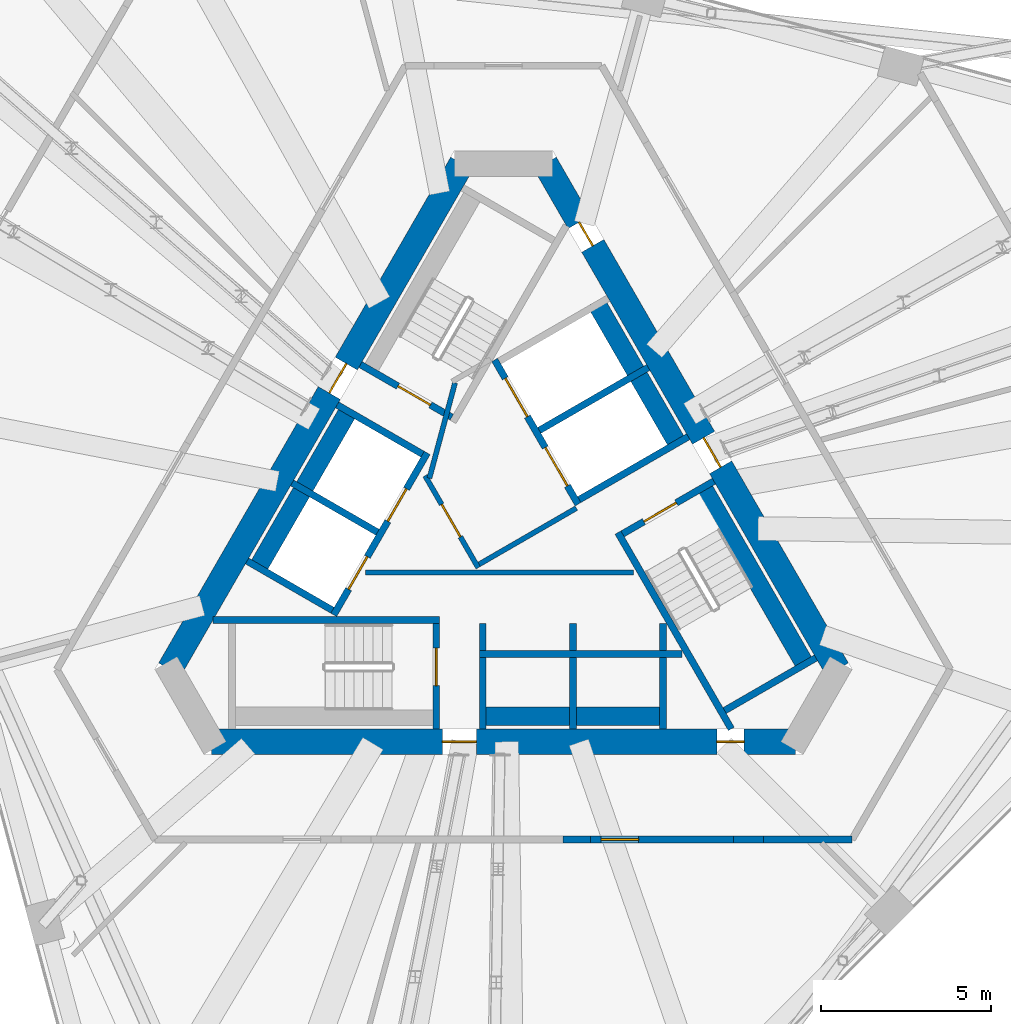
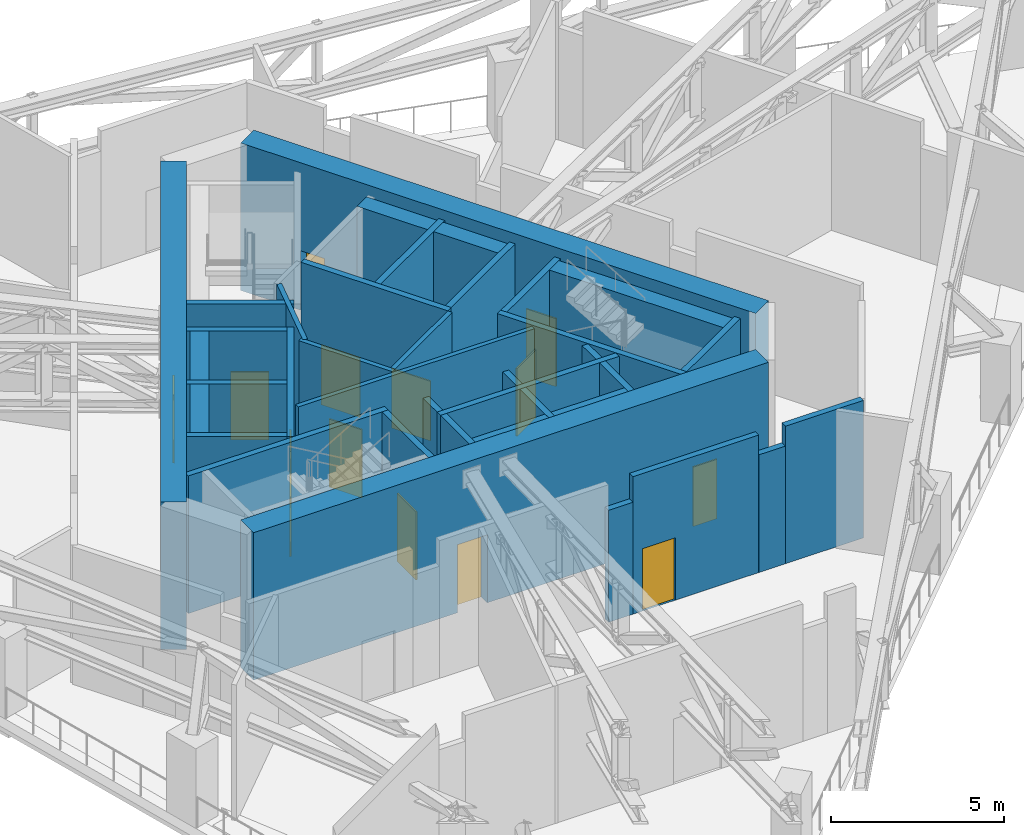
# One storey, part 14 of 22: 35 walls, 14 doors, 14 openings.
"""IFC4 building model written with IfcOpenShell, lengths in metres."""

from ifc_helpers import new_model, si_unit, direction, frame, frame_2d, origin, place, context, subcontext, project, spatial, rectangle, extrude, material, layer, layer_set, type_object, element, fill, save


model = new_model("IFC4")

# Units and contexts
model_context = context("Model", 3, precision=1e-05, world=origin(), true_north=direction((0.0, 1.0)))
body_context = subcontext(model_context, "Body", "Model", "MODEL_VIEW")
ifc_project = project(units=[si_unit("LENGTHUNIT", "METRE"), si_unit("AREAUNIT", "SQUARE_METRE"), si_unit("VOLUMEUNIT", "CUBIC_METRE"), si_unit("PLANEANGLEUNIT", "RADIAN"), si_unit("MASSUNIT", "GRAM", prefix="KILO")], contexts=[model_context])

# Site, building, storey
site_placement = place(None, origin())
site = spatial("IfcSite", under=ifc_project, at=site_placement, CompositionType="ELEMENT")
building_placement = place(site_placement, origin())
building = spatial("IfcBuilding", under=site, at=building_placement, Name="Tramontana Tower", CompositionType="ELEMENT")
storey_placement = place(building_placement, frame((0.0, 0.0, 232.0)))
storey = spatial("IfcBuildingStorey", under=building, at=storey_placement, Name="L54", CompositionType="ELEMENT", Elevation=232.0)

# Wall, opening, door
ifc_material_1 = material(Name="Concrete 70 MPa", Category="concrete")
ifc_layer_1 = layer(ifc_material_1, 0.75)
ifc_layer_set_1 = layer_set([ifc_layer_1], Name="Core wall 750 70 MPa")
wall_type_1 = type_object("IfcWallType", Name="Core wall 750 70 MPa", PredefinedType="SHEAR", material=ifc_layer_set_1)
wall_1_placement = place(storey_placement, frame((-1.226806640625, 10.625, 0.0), z_axis=(0.0, 0.0, 1.0), x_axis=(-0.500002161919, -0.866024155596, 0.0)))
wall_1 = element("IfcWall", 1, at=wall_1_placement, inside=storey, type_object=wall_type_1, Name="Core wall C1 L54", PredefinedType="SHEAR", context=body_context, shape_type="SweptSolid", body=[
    extrude(rectangle(XDim=17.17626953125, YDim=0.75, at=frame_2d((8.588134765625, 0.0))), origin(), (0.0, 0.0, 1.0), 5.199951171875),
])
opening_1_placement = place(wall_1_placement, frame((6.79296875, 0.0, 0.0)))
opening_1 = element("IfcOpeningElement", 2, at=opening_1_placement, cuts=wall_1, Name="Opening RG1", PredefinedType="OPENING", context=body_context, shape_type="SweptSolid", body=[
    extrude(rectangle(XDim=1.0, YDim=2.39990234375, at=frame_2d((0.5, 1.199951171875))), frame((0.0, 0.385009765625, 0.0), z_axis=(0.0, -1.0, 0.0), x_axis=(1.0, 0.0, 0.0)), (0.0, 0.0, 1.0), 0.77001953125),
])
ifc_material_2 = material(Name="Painted steel", Category="steel")
door_type_1 = type_object("IfcDoorType", Name="RING DOOR 1000", OperationType="SINGLE_SWING_LEFT", PredefinedType="DOOR", material=ifc_material_2)
door_1_placement = place(opening_1_placement, origin())
door_1 = element("IfcDoor", 3, at=door_1_placement, inside=storey, type_object=door_type_1, Name="Door RG1", OperationType="SINGLE_SWING_RIGHT", OverallHeight=2.39990234375, OverallWidth=1.0, PredefinedType="DOOR", context=body_context, shape_type="SweptSolid", body=[
    extrude(rectangle(XDim=1.0, YDim=2.39990234375, at=frame_2d((0.5, 1.199951171875))), frame((0.0, 0.02490234375, 0.0), z_axis=(0.0, -1.0, 0.0), x_axis=(1.0, 0.0, 0.0)), (0.0, 0.0, 1.0), 0.050048828125),
])
fill(opening_1, door_1)

# Wall, openings, doors
wall_2_placement = place(storey_placement, frame((-8.588134765625, -6.375, 0.0), z_axis=(0.0, 0.0, 1.0), x_axis=(1.0, 0.0, 0.0)))
wall_2 = element("IfcWall", 4, at=wall_2_placement, inside=storey, type_object=wall_type_1, Name="Core wall C3 L54", PredefinedType="SHEAR", context=body_context, shape_type="SweptSolid", body=[
    extrude(rectangle(XDim=17.17626953125, YDim=0.75, at=frame_2d((8.588134765625, 0.0))), origin(), (0.0, 0.0, 1.0), 5.199951171875),
])
opening_2_placement = place(wall_2_placement, frame((6.793212890625, 0.0, 0.0)))
opening_2 = element("IfcOpeningElement", 5, at=opening_2_placement, cuts=wall_2, Name="Opening RG2", PredefinedType="OPENING", context=body_context, shape_type="SweptSolid", body=[
    extrude(rectangle(XDim=1.0, YDim=2.39990234375, at=frame_2d((0.5, 1.199951171875))), frame((0.0, 0.385009765625, 0.0), z_axis=(0.0, -1.0, 0.0), x_axis=(1.0, 0.0, 0.0)), (0.0, 0.0, 1.0), 0.77001953125),
])
opening_3_placement = place(wall_2_placement, frame((14.863525390625, 0.0, 0.0)))
opening_3 = element("IfcOpeningElement", 6, at=opening_3_placement, cuts=wall_2, Name="Opening PD2", PredefinedType="OPENING", context=body_context, shape_type="SweptSolid", body=[
    extrude(rectangle(XDim=0.800048828125, YDim=2.10009765625, at=frame_2d((0.39990234375, 1.050048828125))), frame((0.0, 0.385009765625, 0.0), z_axis=(0.0, -1.0, 0.0), x_axis=(1.0, 0.0, 0.0)), (0.0, 0.0, 1.0), 0.77001953125),
])
ifc_material_3 = material(Name="Painted steel", Category="steel")
door_type_2 = type_object("IfcDoorType", Name="CUPBOARD DOOR 800", OperationType="SINGLE_SWING_LEFT", PredefinedType="DOOR", material=ifc_material_3)
door_2_placement = place(opening_3_placement, origin())
door_2 = element("IfcDoor", 7, at=door_2_placement, inside=storey, type_object=door_type_2, Name="Door PD2", OperationType="SINGLE_SWING_LEFT", OverallHeight=2.10009765625, OverallWidth=0.800048828125, PredefinedType="DOOR", context=body_context, shape_type="SweptSolid", body=[
    extrude(rectangle(XDim=0.800048828125, YDim=2.10009765625, at=frame_2d((0.39990234375, 1.050048828125))), frame((0.0, 0.02490234375, 0.0), z_axis=(0.0, -1.0, 0.0), x_axis=(1.0, 0.0, 0.0)), (0.0, 0.0, 1.0), 0.050048828125),
])
fill(opening_3, door_2)
door_3_placement = place(opening_2_placement, origin())
door_3 = element("IfcDoor", 8, at=door_3_placement, inside=storey, type_object=door_type_1, Name="Door RG2", OperationType="SINGLE_SWING_LEFT", OverallHeight=2.39990234375, OverallWidth=1.0, PredefinedType="DOOR", context=body_context, shape_type="SweptSolid", body=[
    extrude(rectangle(XDim=1.0, YDim=2.39990234375, at=frame_2d((0.5, 1.199951171875))), frame((0.0, 0.02490234375, 0.0), z_axis=(0.0, -1.0, 0.0), x_axis=(1.0, 0.0, 0.0)), (0.0, 0.0, 1.0), 0.050048828125),
])
fill(opening_2, door_3)

wall_3_placement = place(storey_placement, frame((9.81494140625, -4.25, 0.0), z_axis=(0.0, 0.0, 1.0), x_axis=(-0.500002161919, 0.866024155596, 0.0)))
wall_3 = element("IfcWall", 9, at=wall_3_placement, inside=storey, type_object=wall_type_1, Name="Core wall C5 L54", PredefinedType="SHEAR", context=body_context, shape_type="SweptSolid", body=[
    extrude(rectangle(XDim=17.17626953125, YDim=0.75, at=frame_2d((8.588134765625, 0.0))), origin(), (0.0, 0.0, 1.0), 5.199951171875),
])
opening_4_placement = place(wall_3_placement, frame((6.863037109375, 0.0, 0.0)))
opening_4 = element("IfcOpeningElement", 10, at=opening_4_placement, cuts=wall_3, Name="Opening RG3", PredefinedType="OPENING", context=body_context, shape_type="SweptSolid", body=[
    extrude(rectangle(XDim=1.0, YDim=2.39990234375, at=frame_2d((0.5, 1.199951171875))), frame((0.0, 0.385009765625, 0.0), z_axis=(0.0, -1.0, 0.0), x_axis=(1.0, 0.0, 0.0)), (0.0, 0.0, 1.0), 0.77001953125),
])
opening_5_placement = place(wall_3_placement, frame((14.382080078125, 0.0, 0.0)))
opening_5 = element("IfcOpeningElement", 11, at=opening_5_placement, cuts=wall_3, Name="Opening PD3", PredefinedType="OPENING", context=body_context, shape_type="SweptSolid", body=[
    extrude(rectangle(XDim=0.800048828125, YDim=2.10009765625, at=frame_2d((0.39990234375, 1.050048828125))), frame((0.0, 0.385009765625, 0.0), z_axis=(0.0, -1.0, 0.0), x_axis=(1.0, 0.0, 0.0)), (0.0, 0.0, 1.0), 0.77001953125),
])
door_4_placement = place(opening_5_placement, origin())
door_4 = element("IfcDoor", 12, at=door_4_placement, inside=storey, type_object=door_type_2, Name="Door PD3", OperationType="SINGLE_SWING_RIGHT", OverallHeight=2.10009765625, OverallWidth=0.800048828125, PredefinedType="DOOR", context=body_context, shape_type="SweptSolid", body=[
    extrude(rectangle(XDim=0.800048828125, YDim=2.10009765625, at=frame_2d((0.39990234375, 1.050048828125))), frame((0.0, 0.02490234375, 0.0), z_axis=(0.0, -1.0, 0.0), x_axis=(1.0, 0.0, 0.0)), (0.0, 0.0, 1.0), 0.050048828125),
])
fill(opening_5, door_4)
door_5_placement = place(opening_4_placement, origin())
door_5 = element("IfcDoor", 13, at=door_5_placement, inside=storey, type_object=door_type_1, Name="Door RG3", OperationType="SINGLE_SWING_RIGHT", OverallHeight=2.39990234375, OverallWidth=1.0, PredefinedType="DOOR", context=body_context, shape_type="SweptSolid", body=[
    extrude(rectangle(XDim=1.0, YDim=2.39990234375, at=frame_2d((0.5, 1.199951171875))), frame((0.0, 0.02490234375, 0.0), z_axis=(0.0, -1.0, 0.0), x_axis=(1.0, 0.0, 0.0)), (0.0, 0.0, 1.0), 0.050048828125),
])
fill(opening_4, door_5)

# Walls
ifc_material_4 = material(Name="Blockwork", Category="masonry")
ifc_layer_2 = layer(ifc_material_4, 0.199951171875)
ifc_layer_set_2 = layer_set([ifc_layer_2], Name="ENTRY WALL 200")
wall_type_2 = type_object("IfcWallType", Name="ENTRY WALL 200", PredefinedType="SOLIDWALL", material=ifc_layer_set_2)
wall_4_placement = place(storey_placement, frame((10.248046875, -9.25, 0.0), z_axis=(0.0, 0.0, 1.0), x_axis=(-1.0, 0.0, 0.0)))
element("IfcWall", 14, at=wall_4_placement, inside=storey, type_object=wall_type_2, Name="Wall ew2-0", PredefinedType="SOLIDWALL", context=body_context, shape_type="SweptSolid", body=[
    extrude(rectangle(XDim=2.604248046875, YDim=0.199951171875, at=frame_2d((1.30224609375, 0.0))), origin(), (0.0, 0.0, 1.0), 4.85009765625),
])
wall_5_placement = place(storey_placement, frame((7.643798828125, -9.25, 0.0), z_axis=(0.0, 0.0, 1.0), x_axis=(-1.0, 0.0, 0.0)))
element("IfcWall", 15, at=wall_5_placement, inside=storey, type_object=wall_type_2, Name="Wall ew2-1", PredefinedType="SOLIDWALL", context=body_context, shape_type="SweptSolid", body=[
    extrude(rectangle(XDim=0.886962890625, YDim=0.199951171875, at=frame_2d((0.443359375, 0.0))), origin(), (0.0, 0.0, 1.0), 4.14990234375),
])

# Wall, opening, door
wall_6_placement = place(storey_placement, frame((6.7568359375, -9.25, 0.0), z_axis=(0.0, 0.0, 1.0), x_axis=(-1.0, 0.0, 0.0)))
wall_6 = element("IfcWall", 16, at=wall_6_placement, inside=storey, type_object=wall_type_2, Name="Wall ew2-2", PredefinedType="SOLIDWALL", context=body_context, shape_type="SweptSolid", body=[
    extrude(rectangle(XDim=4.1923828125, YDim=0.199951171875, at=frame_2d((2.09619140625, 0.0))), origin(), (0.0, 0.0, 1.0), 4.85009765625),
])
opening_6_placement = place(wall_6_placement, frame((2.7841796875, 0.0, 0.0)))
opening_6 = element("IfcOpeningElement", 17, at=opening_6_placement, cuts=wall_6, Name="Opening L54-04", PredefinedType="OPENING", context=body_context, shape_type="SweptSolid", body=[
    extrude(rectangle(XDim=1.10009765625, YDim=2.199951171875, at=frame_2d((0.550048828125, 1.10009765625))), frame((0.0, 0.10986328125, 0.0), z_axis=(0.0, -1.0, 0.0), x_axis=(1.0, 0.0, 0.0)), (0.0, 0.0, 1.0), 0.219970703125),
])
ifc_material_5 = material(Name="Painted steel", Category="steel")
door_type_3 = type_object("IfcDoorType", Name="PLANT DOOR 1100", OperationType="SINGLE_SWING_LEFT", PredefinedType="DOOR", material=ifc_material_5)
door_6_placement = place(opening_6_placement, origin())
door_6 = element("IfcDoor", 18, at=door_6_placement, inside=storey, type_object=door_type_3, Name="Door L54-04", OperationType="SINGLE_SWING_RIGHT", OverallHeight=2.199951171875, OverallWidth=1.10009765625, PredefinedType="DOOR", context=body_context, shape_type="SweptSolid", body=[
    extrude(rectangle(XDim=1.10009765625, YDim=2.199951171875, at=frame_2d((0.550048828125, 1.10009765625))), frame((0.0, 0.02490234375, 0.0), z_axis=(0.0, -1.0, 0.0), x_axis=(1.0, 0.0, 0.0)), (0.0, 0.0, 1.0), 0.050048828125),
])
fill(opening_6, door_6)

# Wall
wall_7_placement = place(storey_placement, frame((2.564453125, -9.25, 0.0), z_axis=(0.0, 0.0, 1.0), x_axis=(-1.0, 0.0, 0.0)))
element("IfcWall", 19, at=wall_7_placement, inside=storey, type_object=wall_type_2, Name="Wall ew2-3", PredefinedType="SOLIDWALL", context=body_context, shape_type="SweptSolid", body=[
    extrude(rectangle(XDim=0.821533203125, YDim=0.199951171875, at=frame_2d((0.41064453125, 0.0))), origin(), (0.0, 0.0, 1.0), 3.949951171875),
])

# Wall, opening, door
ifc_material_6 = material(Name="Gypsum board partition")
ifc_layer_3 = layer(ifc_material_6, 0.14990234375)
ifc_layer_set_3 = layer_set([ifc_layer_3], Name="PARTITION 150")
wall_type_3 = type_object("IfcWallType", Name="PARTITION 150", PredefinedType="PARTITIONING", material=ifc_layer_set_3)
wall_8_placement = place(storey_placement, frame((-0.744140625, -1.260986328125, 0.0), z_axis=(0.0, 0.0, 1.0), x_axis=(-0.500004234368, 0.866022959057, 0.0)))
wall_8 = element("IfcWall", 20, at=wall_8_placement, inside=storey, type_object=wall_type_3, Name="Wall ff-front", PredefinedType="PARTITIONING", context=body_context, shape_type="SweptSolid", body=[
    extrude(rectangle(XDim=3.125, YDim=0.14990234375, at=frame_2d((1.5625, 0.0))), origin(), (0.0, 0.0, 1.0), 4.85009765625),
])
opening_7_placement = place(wall_8_placement, frame((1.050048828125, 0.0, 0.0)))
opening_7 = element("IfcOpeningElement", 21, at=opening_7_placement, cuts=wall_8, Name="Opening FD1", PredefinedType="OPENING", context=body_context, shape_type="SweptSolid", body=[
    extrude(rectangle(XDim=1.10009765625, YDim=2.39990234375, at=frame_2d((0.550048828125, 1.199951171875))), frame((0.0, 0.0849609375, 0.0), z_axis=(0.0, -1.0, 0.0), x_axis=(1.0, 0.0, 0.0)), (0.0, 0.0, 1.0), 0.169921875),
])
ifc_material_7 = material(Name="Painted timber", Category="wood")
door_type_4 = type_object("IfcDoorType", Name="DOOR ENTRY 1100", OperationType="SINGLE_SWING_LEFT", PredefinedType="DOOR", material=ifc_material_7)
door_7_placement = place(opening_7_placement, origin())
door_7 = element("IfcDoor", 22, at=door_7_placement, inside=storey, type_object=door_type_4, Name="Door FD1", OperationType="SINGLE_SWING_LEFT", OverallHeight=2.39990234375, OverallWidth=1.10009765625, PredefinedType="DOOR", context=body_context, shape_type="SweptSolid", body=[
    extrude(rectangle(XDim=1.10009765625, YDim=2.39990234375, at=frame_2d((0.550048828125, 1.199951171875))), frame((0.0, 0.02490234375, 0.0), z_axis=(0.0, -1.0, 0.0), x_axis=(1.0, 0.0, 0.0)), (0.0, 0.0, 1.0), 0.050048828125),
])
fill(opening_7, door_7)

# Walls
wall_9_placement = place(storey_placement, frame((-0.716796875, -1.15869140625, 0.0), z_axis=(0.0, 0.0, 1.0), x_axis=(0.866008176907, 0.50002983664, 0.0)))
element("IfcWall", 23, at=wall_9_placement, inside=storey, type_object=wall_type_3, Name="Wall ff-end0", PredefinedType="PARTITIONING", context=body_context, shape_type="SweptSolid", body=[
    extrude(rectangle(XDim=3.300048828125, YDim=0.14990234375, at=frame_2d((1.64990234375, 0.0))), origin(), (0.0, 0.0, 1.0), 4.85009765625),
])
wall_10_placement = place(storey_placement, frame((-2.177978515625, 1.372314453125, 0.0), z_axis=(0.0, 0.0, 1.0), x_axis=(0.258808958833, 0.96592852884, 0.0)))
element("IfcWall", 24, at=wall_10_placement, inside=storey, type_object=wall_type_3, Name="Wall ff-diag", PredefinedType="PARTITIONING", context=body_context, shape_type="SweptSolid", body=[
    extrude(rectangle(XDim=2.902587890625, YDim=0.14990234375, at=frame_2d((1.451171875, 0.0))), origin(), (0.0, 0.0, 1.0), 4.85009765625),
])
wall_11_placement = place(storey_placement, frame((-4.053466796875, -1.39990234375, 0.0), z_axis=(0.0, 0.0, 1.0), x_axis=(1.0, 0.0, 0.0)))
element("IfcWall", 25, at=wall_11_placement, inside=storey, type_object=wall_type_3, Name="Wall hub-cut1", PredefinedType="PARTITIONING", context=body_context, shape_type="SweptSolid", body=[
    extrude(rectangle(XDim=7.8759765625, YDim=0.14990234375, at=frame_2d((3.93798828125, 0.0))), origin(), (0.0, 0.0, 1.0), 4.85009765625),
])
ifc_material_8 = material(Name="Concrete 70 MPa", Category="concrete")
ifc_layer_4 = layer(ifc_material_8, 0.550048828125)
ifc_layer_set_4 = layer_set([ifc_layer_4], Name="Concrete 70 MPa, 550 mm")
wall_type_4 = type_object("IfcWallType", Name="RC SHAFT BACK WALL 550", PredefinedType="SOLIDWALL", material=ifc_layer_set_4)
wall_12_placement = place(storey_placement, frame((8.911376953125, -4.18505859375, 0.0), z_axis=(0.0, 0.0, 1.0), x_axis=(-0.500009909098, 0.866019682689, 0.0)))
element("IfcWall", 26, at=wall_12_placement, inside=storey, type_object=wall_type_4, Name="Wall st3-back", PredefinedType="SOLIDWALL", context=body_context, shape_type="SweptSolid", body=[
    extrude(rectangle(XDim=6.199951171875, YDim=0.550048828125, at=frame_2d((3.10009765625, 0.0))), origin(), (0.0, 0.0, 1.0), 4.85009765625),
])
for number, where, z_axis, x_axis, name in (
    (27, (-4.516357421875, 3.427490234375, 0.0), (0.0, 0.0, 1.0), (-0.499996545922, -0.866027397988, 0.0), "Wall row0-back"),
    (28, (-0.7099609375, -5.625, 0.0), (0.0, 0.0, 1.0), (1.0, 0.0, 0.0), "Wall row1-back"),
):
    element("IfcWall", number, at=place(storey_placement, frame(where, z_axis=z_axis, x_axis=x_axis)), inside=storey, type_object=wall_type_4, Name=name, PredefinedType="SOLIDWALL", context=body_context, shape_type="SweptSolid", body=[
        extrude(rectangle(XDim=5.5, YDim=0.550048828125, at=frame_2d((2.75, 0.0))), origin(), (0.0, 0.0, 1.0), 4.85009765625),
    ])
wall_13_placement = place(storey_placement, frame((5.156494140625, 2.31884765625, 0.0), z_axis=(0.0, 0.0, 1.0), x_axis=(-0.500018594424, 0.866014668023, 0.0)))
element("IfcWall", 29, at=wall_13_placement, inside=storey, type_object=wall_type_4, Name="Wall row2-back", PredefinedType="SOLIDWALL", context=body_context, shape_type="SweptSolid", body=[
    extrude(rectangle(XDim=4.900146484375, YDim=0.550048828125, at=frame_2d((2.4501953125, 0.0))), origin(), (0.0, 0.0, 1.0), 4.85009765625),
])

# Wall, opening, door
ifc_material_9 = material(Name="Concrete 70 MPa", Category="concrete")
ifc_layer_5 = layer(ifc_material_9, 0.199951171875)
ifc_layer_set_5 = layer_set([ifc_layer_5], Name="Concrete 70 MPa, 200 mm")
wall_type_5 = type_object("IfcWallType", Name="RC STAIR AND SHAFT WALL 200", PredefinedType="SOLIDWALL", material=ifc_layer_set_5)
wall_14_placement = place(storey_placement, frame((-1.521484375, 3.164794921875, 0.0), z_axis=(0.0, 0.0, 1.0), x_axis=(-0.86600983753, 0.500026960575, 0.0)))
wall_14 = element("IfcWall", 30, at=wall_14_placement, inside=storey, type_object=wall_type_5, Name="Wall st1-near", PredefinedType="SOLIDWALL", context=body_context, shape_type="SweptSolid", body=[
    extrude(rectangle(XDim=3.099853515625, YDim=0.199951171875, at=frame_2d((1.5498046875, 0.0))), origin(), (0.0, 0.0, 1.0), 4.85009765625),
])
opening_8_placement = place(wall_14_placement, frame((0.72509765625, 0.0, 0.0)))
opening_8 = element("IfcOpeningElement", 31, at=opening_8_placement, cuts=wall_14, Name="Opening SD1", PredefinedType="OPENING", context=body_context, shape_type="SweptSolid", body=[
    extrude(rectangle(XDim=1.10009765625, YDim=2.39990234375, at=frame_2d((0.550048828125, 1.199951171875))), frame((0.0, 0.10986328125, 0.0), z_axis=(0.0, -1.0, 0.0), x_axis=(1.0, 0.0, 0.0)), (0.0, 0.0, 1.0), 0.219970703125),
])
ifc_material_10 = material(Name="Painted steel", Category="steel")
door_type_5 = type_object("IfcDoorType", Name="STAIR DOOR 1100", OperationType="SINGLE_SWING_LEFT", PredefinedType="DOOR", material=ifc_material_10)
door_8_placement = place(opening_8_placement, origin())
door_8 = element("IfcDoor", 32, at=door_8_placement, inside=storey, type_object=door_type_5, Name="Door SD1", OperationType="SINGLE_SWING_RIGHT", OverallHeight=2.39990234375, OverallWidth=1.10009765625, PredefinedType="DOOR", context=body_context, shape_type="SweptSolid", body=[
    extrude(rectangle(XDim=1.10009765625, YDim=2.39990234375, at=frame_2d((0.550048828125, 1.199951171875))), frame((0.0, 0.02490234375, 0.0), z_axis=(0.0, -1.0, 0.0), x_axis=(1.0, 0.0, 0.0)), (0.0, 0.0, 1.0), 0.050048828125),
])
fill(opening_8, door_8)

# Wall
wall_15_placement = place(storey_placement, frame((-8.544677734375, -2.800048828125, 0.0), z_axis=(0.0, 0.0, 1.0), x_axis=(1.0, 0.0, 0.0)))
element("IfcWall", 33, at=wall_15_placement, inside=storey, type_object=wall_type_5, Name="Wall st2-front", PredefinedType="SOLIDWALL", context=body_context, shape_type="SweptSolid", body=[
    extrude(rectangle(XDim=6.664794921875, YDim=0.199951171875, at=frame_2d((3.33251953125, 0.0))), origin(), (0.0, 0.0, 1.0), 4.85009765625),
])

# Wall, opening, door
wall_16_placement = place(storey_placement, frame((-1.97998046875, -2.89990234375, 0.0), z_axis=(0.0, 0.0, 1.0), x_axis=(0.0, -1.0, 0.0)))
wall_16 = element("IfcWall", 34, at=wall_16_placement, inside=storey, type_object=wall_type_5, Name="Wall st2-near", PredefinedType="SOLIDWALL", context=body_context, shape_type="SweptSolid", body=[
    extrude(rectangle(XDim=3.10009765625, YDim=0.199951171875, at=frame_2d((1.550048828125, 0.0))), origin(), (0.0, 0.0, 1.0), 4.85009765625),
])
opening_9_placement = place(wall_16_placement, frame((0.72509765625, 0.0, 0.0)))
opening_9 = element("IfcOpeningElement", 35, at=opening_9_placement, cuts=wall_16, Name="Opening SD2", PredefinedType="OPENING", context=body_context, shape_type="SweptSolid", body=[
    extrude(rectangle(XDim=1.10009765625, YDim=2.39990234375, at=frame_2d((0.550048828125, 1.199951171875))), frame((0.0, 0.10986328125, 0.0), z_axis=(0.0, -1.0, 0.0), x_axis=(1.0, 0.0, 0.0)), (0.0, 0.0, 1.0), 0.219970703125),
])
door_9_placement = place(opening_9_placement, origin())
door_9 = element("IfcDoor", 36, at=door_9_placement, inside=storey, type_object=door_type_5, Name="Door SD2", OperationType="SINGLE_SWING_LEFT", OverallHeight=2.39990234375, OverallWidth=1.10009765625, PredefinedType="DOOR", context=body_context, shape_type="SweptSolid", body=[
    extrude(rectangle(XDim=1.10009765625, YDim=2.39990234375, at=frame_2d((0.550048828125, 1.199951171875))), frame((0.0, 0.02490234375, 0.0), z_axis=(0.0, -1.0, 0.0), x_axis=(1.0, 0.0, 0.0)), (0.0, 0.0, 1.0), 0.050048828125),
])
fill(opening_9, door_9)

# Walls
wall_17_placement = place(storey_placement, frame((6.697265625, -6.0, 0.0), z_axis=(0.0, 0.0, 1.0), x_axis=(-0.499980354584, 0.866036745774, 0.0)))
element("IfcWall", 37, at=wall_17_placement, inside=storey, type_object=wall_type_5, Name="Wall st3-front", PredefinedType="SOLIDWALL", context=body_context, shape_type="SweptSolid", body=[
    extrude(rectangle(XDim=6.664794921875, YDim=0.199951171875, at=frame_2d((3.33251953125, 0.0))), origin(), (0.0, 0.0, 1.0), 4.85009765625),
])
wall_18_placement = place(storey_placement, frame((6.50146484375, -5.4609375, 0.0), z_axis=(0.0, 0.0, 1.0), x_axis=(0.86600983753, 0.500026960575, 0.0)))
element("IfcWall", 38, at=wall_18_placement, inside=storey, type_object=wall_type_5, Name="Wall st3-far", PredefinedType="SOLIDWALL", context=body_context, shape_type="SweptSolid", body=[
    extrude(rectangle(XDim=3.099853515625, YDim=0.199951171875, at=frame_2d((1.5498046875, 0.0))), origin(), (0.0, 0.0, 1.0), 4.85009765625),
])

# Wall, opening, door
wall_19_placement = place(storey_placement, frame((3.50146484375, -0.2646484375, 0.0), z_axis=(0.0, 0.0, 1.0), x_axis=(0.866043940782, 0.499967891604, 0.0)))
wall_19 = element("IfcWall", 39, at=wall_19_placement, inside=storey, type_object=wall_type_5, Name="Wall st3-near", PredefinedType="SOLIDWALL", context=body_context, shape_type="SweptSolid", body=[
    extrude(rectangle(XDim=3.099853515625, YDim=0.199951171875, at=frame_2d((1.5498046875, 0.0))), origin(), (0.0, 0.0, 1.0), 4.85009765625),
])
opening_10_placement = place(wall_19_placement, frame((0.72509765625, 0.0, 0.0)))
opening_10 = element("IfcOpeningElement", 40, at=opening_10_placement, cuts=wall_19, Name="Opening SD3", PredefinedType="OPENING", context=body_context, shape_type="SweptSolid", body=[
    extrude(rectangle(XDim=1.10009765625, YDim=2.39990234375, at=frame_2d((0.550048828125, 1.199951171875))), frame((0.0, 0.10986328125, 0.0), z_axis=(0.0, -1.0, 0.0), x_axis=(1.0, 0.0, 0.0)), (0.0, 0.0, 1.0), 0.219970703125),
])
door_10_placement = place(opening_10_placement, origin())
door_10 = element("IfcDoor", 41, at=door_10_placement, inside=storey, type_object=door_type_5, Name="Door SD3", OperationType="SINGLE_SWING_RIGHT", OverallHeight=2.39990234375, OverallWidth=1.10009765625, PredefinedType="DOOR", context=body_context, shape_type="SweptSolid", body=[
    extrude(rectangle(XDim=1.10009765625, YDim=2.39990234375, at=frame_2d((0.550048828125, 1.199951171875))), frame((0.0, 0.02490234375, 0.0), z_axis=(0.0, -1.0, 0.0), x_axis=(1.0, 0.0, 0.0)), (0.0, 0.0, 1.0), 0.050048828125),
])
fill(opening_10, door_10)

# Wall, openings, doors
wall_20_placement = place(storey_placement, frame((-2.2431640625, 2.114990234375, 0.0), z_axis=(0.0, 0.0, 1.0), x_axis=(-0.499996545922, -0.866027397988, 0.0)))
wall_20 = element("IfcWall", 42, at=wall_20_placement, inside=storey, type_object=wall_type_5, Name="Wall row0-front", PredefinedType="SOLIDWALL", context=body_context, shape_type="SweptSolid", body=[
    extrude(rectangle(XDim=5.5, YDim=0.199951171875, at=frame_2d((2.75, 0.0))), origin(), (0.0, 0.0, 1.0), 4.85009765625),
])
opening_11_placement = place(wall_20_placement, frame((1.219970703125, 0.0, 0.0)))
opening_11 = element("IfcOpeningElement", 43, at=opening_11_placement, cuts=wall_20, Name="Opening LD-P1", PredefinedType="OPENING", context=body_context, shape_type="SweptSolid", body=[
    extrude(rectangle(XDim=1.10009765625, YDim=2.10009765625, at=frame_2d((0.550048828125, 1.050048828125))), frame((0.0, 0.10986328125, 0.0), z_axis=(0.0, -1.0, 0.0), x_axis=(1.0, 0.0, 0.0)), (0.0, 0.0, 1.0), 0.219970703125),
])
opening_12_placement = place(wall_20_placement, frame((3.52490234375, 0.0, 0.0)))
opening_12 = element("IfcOpeningElement", 44, at=opening_12_placement, cuts=wall_20, Name="Opening LD-P2", PredefinedType="OPENING", context=body_context, shape_type="SweptSolid", body=[
    extrude(rectangle(XDim=1.10009765625, YDim=2.10009765625, at=frame_2d((0.550048828125, 1.050048828125))), frame((0.0, 0.10986328125, 0.0), z_axis=(0.0, -1.0, 0.0), x_axis=(1.0, 0.0, 0.0)), (0.0, 0.0, 1.0), 0.219970703125),
])
ifc_material_11 = material(Name="Brushed steel", Category="steel")
door_type_6 = type_object("IfcDoorType", Name="LANDING DOOR 1100", OperationType="SINGLE_SWING_LEFT", PredefinedType="DOOR", material=ifc_material_11)
door_11_placement = place(opening_11_placement, origin())
door_11 = element("IfcDoor", 45, at=door_11_placement, inside=storey, type_object=door_type_6, Name="Door LD-P1", OperationType="SLIDING_TO_LEFT", OverallHeight=2.10009765625, OverallWidth=1.10009765625, PredefinedType="DOOR", context=body_context, shape_type="SweptSolid", body=[
    extrude(rectangle(XDim=1.10009765625, YDim=2.10009765625, at=frame_2d((0.550048828125, 1.050048828125))), frame((0.0, 0.02490234375, 0.0), z_axis=(0.0, -1.0, 0.0), x_axis=(1.0, 0.0, 0.0)), (0.0, 0.0, 1.0), 0.050048828125),
])
fill(opening_11, door_11)
door_12_placement = place(opening_12_placement, origin())
door_12 = element("IfcDoor", 46, at=door_12_placement, inside=storey, type_object=door_type_6, Name="Door LD-P2", OperationType="SLIDING_TO_RIGHT", OverallHeight=2.10009765625, OverallWidth=1.10009765625, PredefinedType="DOOR", context=body_context, shape_type="SweptSolid", body=[
    extrude(rectangle(XDim=1.10009765625, YDim=2.10009765625, at=frame_2d((0.550048828125, 1.050048828125))), frame((0.0, 0.02490234375, 0.0), z_axis=(0.0, -1.0, 0.0), x_axis=(1.0, 0.0, 0.0)), (0.0, 0.0, 1.0), 0.050048828125),
])
fill(opening_12, door_12)

# Walls
wall_21_placement = place(storey_placement, frame((-2.379638671875, 2.078369140625, 0.0), z_axis=(0.0, 0.0, 1.0), x_axis=(-0.866032775405, 0.499987231761, 0.0)))
element("IfcWall", 47, at=wall_21_placement, inside=storey, type_object=wall_type_5, Name="Wall row0-side0", PredefinedType="SOLIDWALL", context=body_context, shape_type="SweptSolid", body=[
    extrude(rectangle(XDim=2.89990234375, YDim=0.199951171875, at=frame_2d((1.449951171875, 0.0))), origin(), (0.0, 0.0, 1.0), 4.85009765625),
])
wall_22_placement = place(storey_placement, frame((-3.70458984375, -0.216796875, 0.0), z_axis=(0.0, 0.0, 1.0), x_axis=(-0.865996321171, 0.50005036918, 0.0)))
element("IfcWall", 48, at=wall_22_placement, inside=storey, type_object=wall_type_5, Name="Wall row0-side1", PredefinedType="SOLIDWALL", context=body_context, shape_type="SweptSolid", body=[
    extrude(rectangle(XDim=2.900146484375, YDim=0.199951171875, at=frame_2d((1.4501953125, 0.0))), origin(), (0.0, 0.0, 1.0), 4.85009765625),
])
wall_23_placement = place(storey_placement, frame((-5.02978515625, -2.51171875, 0.0), z_axis=(0.0, 0.0, 1.0), x_axis=(-0.866032775405, 0.499987231761, 0.0)))
element("IfcWall", 49, at=wall_23_placement, inside=storey, type_object=wall_type_5, Name="Wall row0-side2", PredefinedType="SOLIDWALL", context=body_context, shape_type="SweptSolid", body=[
    extrude(rectangle(XDim=2.89990234375, YDim=0.199951171875, at=frame_2d((1.449951171875, 0.0))), origin(), (0.0, 0.0, 1.0), 4.85009765625),
])
wall_24_placement = place(storey_placement, frame((-0.7099609375, -3.800048828125, 0.0), z_axis=(0.0, 0.0, 1.0), x_axis=(1.0, 0.0, 0.0)))
element("IfcWall", 50, at=wall_24_placement, inside=storey, type_object=wall_type_5, Name="Wall row1-front", PredefinedType="SOLIDWALL", context=body_context, shape_type="SweptSolid", body=[
    extrude(rectangle(XDim=5.96142578125, YDim=0.199951171875, at=frame_2d((2.980712890625, 0.0))), origin(), (0.0, 0.0, 1.0), 4.85009765625),
])
wall_25_placement = place(storey_placement, frame((-0.610107421875, -3.89990234375, 0.0), z_axis=(0.0, 0.0, 1.0), x_axis=(0.0, -1.0, 0.0)))
element("IfcWall", 51, at=wall_25_placement, inside=storey, type_object=wall_type_5, Name="Wall row1-side0", PredefinedType="SOLIDWALL", context=body_context, shape_type="SweptSolid", body=[
    extrude(rectangle(XDim=2.10009765625, YDim=0.199951171875, at=frame_2d((1.050048828125, 0.0))), origin(), (0.0, 0.0, 1.0), 4.85009765625),
])
wall_26_placement = place(storey_placement, frame((-0.610107421875, -2.89990234375, 0.0), z_axis=(0.0, 0.0, 1.0), x_axis=(0.0, -1.0, 0.0)))
element("IfcWall", 52, at=wall_26_placement, inside=storey, type_object=wall_type_5, Name="Wall row1-side0-ret", PredefinedType="SOLIDWALL", context=body_context, shape_type="SweptSolid", body=[
    extrude(rectangle(XDim=0.800048828125, YDim=0.199951171875, at=frame_2d((0.39990234375, 0.0))), origin(), (0.0, 0.0, 1.0), 4.85009765625),
])
wall_27_placement = place(storey_placement, frame((2.0400390625, -3.89990234375, 0.0), z_axis=(0.0, 0.0, 1.0), x_axis=(0.0, -1.0, 0.0)))
element("IfcWall", 53, at=wall_27_placement, inside=storey, type_object=wall_type_5, Name="Wall row1-side1", PredefinedType="SOLIDWALL", context=body_context, shape_type="SweptSolid", body=[
    extrude(rectangle(XDim=2.10009765625, YDim=0.199951171875, at=frame_2d((1.050048828125, 0.0))), origin(), (0.0, 0.0, 1.0), 4.85009765625),
])
wall_28_placement = place(storey_placement, frame((2.0400390625, -2.89990234375, 0.0), z_axis=(0.0, 0.0, 1.0), x_axis=(0.0, -1.0, 0.0)))
element("IfcWall", 54, at=wall_28_placement, inside=storey, type_object=wall_type_5, Name="Wall row1-side1-ret", PredefinedType="SOLIDWALL", context=body_context, shape_type="SweptSolid", body=[
    extrude(rectangle(XDim=0.800048828125, YDim=0.199951171875, at=frame_2d((0.39990234375, 0.0))), origin(), (0.0, 0.0, 1.0), 4.85009765625),
])
wall_29_placement = place(storey_placement, frame((4.68994140625, -3.89990234375, 0.0), z_axis=(0.0, 0.0, 1.0), x_axis=(0.0, -1.0, 0.0)))
element("IfcWall", 55, at=wall_29_placement, inside=storey, type_object=wall_type_5, Name="Wall row1-side2", PredefinedType="SOLIDWALL", context=body_context, shape_type="SweptSolid", body=[
    extrude(rectangle(XDim=2.10009765625, YDim=0.199951171875, at=frame_2d((1.050048828125, 0.0))), origin(), (0.0, 0.0, 1.0), 4.85009765625),
])
wall_30_placement = place(storey_placement, frame((4.68994140625, -2.89990234375, 0.0), z_axis=(0.0, 0.0, 1.0), x_axis=(0.0, -1.0, 0.0)))
element("IfcWall", 56, at=wall_30_placement, inside=storey, type_object=wall_type_5, Name="Wall row1-side2-ret", PredefinedType="SOLIDWALL", context=body_context, shape_type="SweptSolid", body=[
    extrude(rectangle(XDim=0.800048828125, YDim=0.199951171875, at=frame_2d((0.39990234375, 0.0))), origin(), (0.0, 0.0, 1.0), 4.85009765625),
])

# Wall, openings, doors
wall_31_placement = place(storey_placement, frame((2.190185546875, 0.6064453125, 0.0), z_axis=(0.0, 0.0, 1.0), x_axis=(-0.500002801628, 0.866023786258, 0.0)))
wall_31 = element("IfcWall", 57, at=wall_31_placement, inside=storey, type_object=wall_type_5, Name="Wall row2-front", PredefinedType="SOLIDWALL", context=body_context, shape_type="SweptSolid", body=[
    extrude(rectangle(XDim=4.89990234375, YDim=0.199951171875, at=frame_2d((2.449951171875, 0.0))), origin(), (0.0, 0.0, 1.0), 4.85009765625),
])
opening_13_placement = place(wall_31_placement, frame((0.625, 0.0, 0.0)))
opening_13 = element("IfcOpeningElement", 58, at=opening_13_placement, cuts=wall_31, Name="Opening LD-F1", PredefinedType="OPENING", context=body_context, shape_type="SweptSolid", body=[
    extrude(rectangle(XDim=1.300048828125, YDim=2.10009765625, at=frame_2d((0.64990234375, 1.050048828125))), frame((0.0, 0.10986328125, 0.0), z_axis=(0.0, -1.0, 0.0), x_axis=(1.0, 0.0, 0.0)), (0.0, 0.0, 1.0), 0.219970703125),
])
opening_14_placement = place(wall_31_placement, frame((2.97509765625, 0.0, 0.0)))
opening_14 = element("IfcOpeningElement", 59, at=opening_14_placement, cuts=wall_31, Name="Opening LD-F2", PredefinedType="OPENING", context=body_context, shape_type="SweptSolid", body=[
    extrude(rectangle(XDim=1.300048828125, YDim=2.10009765625, at=frame_2d((0.64990234375, 1.050048828125))), frame((0.0, 0.10986328125, 0.0), z_axis=(0.0, -1.0, 0.0), x_axis=(1.0, 0.0, 0.0)), (0.0, 0.0, 1.0), 0.219970703125),
])
ifc_material_12 = material(Name="Brushed steel", Category="steel")
door_type_7 = type_object("IfcDoorType", Name="LANDING DOOR 1300", OperationType="SINGLE_SWING_LEFT", PredefinedType="DOOR", material=ifc_material_12)
door_13_placement = place(opening_13_placement, origin())
door_13 = element("IfcDoor", 60, at=door_13_placement, inside=storey, type_object=door_type_7, Name="Door LD-F1", OperationType="SLIDING_TO_LEFT", OverallHeight=2.10009765625, OverallWidth=1.300048828125, PredefinedType="DOOR", context=body_context, shape_type="SweptSolid", body=[
    extrude(rectangle(XDim=1.300048828125, YDim=2.10009765625, at=frame_2d((0.64990234375, 1.050048828125))), frame((0.0, 0.02490234375, 0.0), z_axis=(0.0, -1.0, 0.0), x_axis=(1.0, 0.0, 0.0)), (0.0, 0.0, 1.0), 0.050048828125),
])
fill(opening_13, door_13)
door_14_placement = place(opening_14_placement, origin())
door_14 = element("IfcDoor", 61, at=door_14_placement, inside=storey, type_object=door_type_7, Name="Door LD-F2", OperationType="SLIDING_TO_RIGHT", OverallHeight=2.10009765625, OverallWidth=1.300048828125, PredefinedType="DOOR", context=body_context, shape_type="SweptSolid", body=[
    extrude(rectangle(XDim=1.300048828125, YDim=2.10009765625, at=frame_2d((0.64990234375, 1.050048828125))), frame((0.0, 0.02490234375, 0.0), z_axis=(0.0, -1.0, 0.0), x_axis=(1.0, 0.0, 0.0)), (0.0, 0.0, 1.0), 0.050048828125),
])
fill(opening_14, door_14)

# Walls
for number, where, z_axis, x_axis, name in (
    (62, (2.226806640625, 0.742919921875, 0.0), (0.0, 0.0, 1.0), (0.86601746898, 0.500013743233, 0.0), "Wall row2-side0"),
    (63, (1.0517578125, 2.778076171875, 0.0), (0.0, 0.0, 1.0), (0.86601746898, 0.500013743233, 0.0), "Wall row2-side1"),
):
    element("IfcWall", number, at=place(storey_placement, frame(where, z_axis=z_axis, x_axis=x_axis)), inside=storey, type_object=wall_type_5, Name=name, PredefinedType="SOLIDWALL", context=body_context, shape_type="SweptSolid", body=[
        extrude(rectangle(XDim=3.7001953125, YDim=0.199951171875, at=frame_2d((1.85009765625, 0.0))), origin(), (0.0, 0.0, 1.0), 4.85009765625),
    ])

save(model, "model.ifc")
